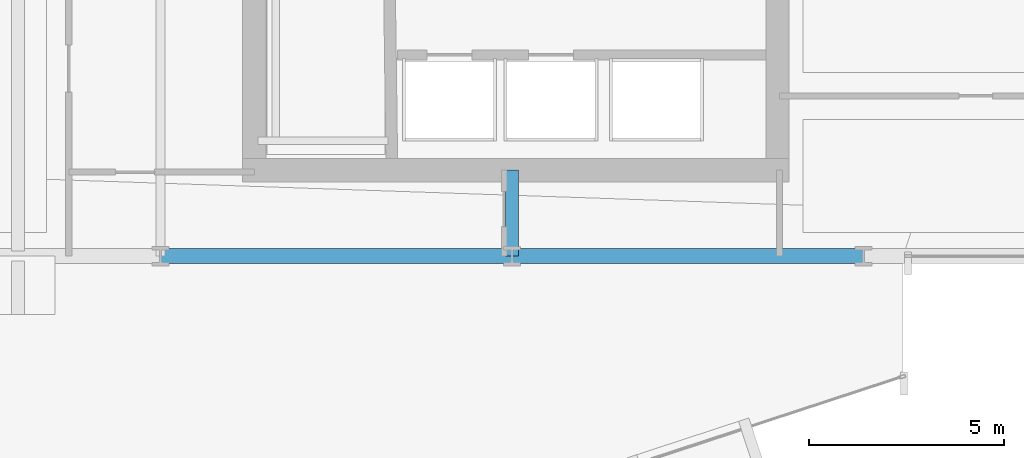
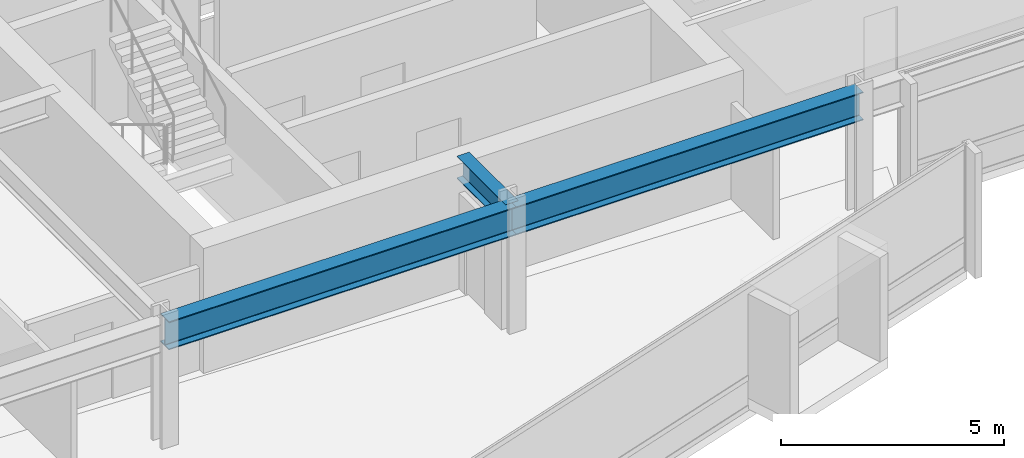
# One storey, part 11 of 34: 3 beams.
"""IFC4 building model written with IfcOpenShell, lengths in metres."""

from ifc_helpers import new_model, si_unit, direction, frame, origin, origin_2d, place, context, subcontext, project, spatial, i_section, extrude, material, material_profile, profile_set, type_object, element, save


model = new_model("IFC4")

# Units and contexts
model_context = context("Model", 3, precision=1e-05, world=origin(), true_north=direction((0.0, 1.0)))
body_context = subcontext(model_context, "Body", "Model", "MODEL_VIEW")
ifc_project = project(units=[si_unit("LENGTHUNIT", "METRE"), si_unit("AREAUNIT", "SQUARE_METRE"), si_unit("VOLUMEUNIT", "CUBIC_METRE"), si_unit("PLANEANGLEUNIT", "RADIAN"), si_unit("MASSUNIT", "GRAM", prefix="KILO")], contexts=[model_context])

# Site, building, storey
site_placement = place(None, origin())
site = spatial("IfcSite", under=ifc_project, at=site_placement, CompositionType="ELEMENT")
building_placement = place(site_placement, origin())
building = spatial("IfcBuilding", under=site, at=building_placement, Name="Solvaryn Broadcast Tower", CompositionType="ELEMENT")
storey_placement = place(building_placement, frame((0.0, 0.0, 54.5)))
storey = spatial("IfcBuildingStorey", under=building, at=storey_placement, Name="L12", CompositionType="ELEMENT", Elevation=54.5)

# Beams
ifc_material_1 = material(Name="Steel ASTM A992 Grade 50", Category="steel")
ifc_material_profile_1 = material_profile(ifc_material_1, i_section(OverallWidth=0.323974609375, OverallDepth=0.611083984375, WebThickness=0.0126953125, FlangeThickness=0.01904296875, FilletRadius=0.014892578125, at=origin_2d()))
ifc_profile_set_1 = profile_set([ifc_material_profile_1], Name="Steel ASTM A992 Grade 50")
beam_type_1 = type_object("IfcBeamType", Name="BM-B1-W24X104", PredefinedType="BEAM", material=ifc_profile_set_1)
beam_placement = place(storey_placement, frame((36.0, 9.0, 3.114501953125), z_axis=(0.0, 1.0, 0.0), x_axis=(-1.0, 0.0, 0.0)))
element("IfcBeam", 1, at=beam_placement, inside=storey, type_object=beam_type_1, Name="L12 Core Tie Beam CTE1", PredefinedType="BEAM", context=body_context, shape_type="SweptSolid", body=[
    extrude(i_section(OverallWidth=0.323974609375, OverallDepth=0.611083984375, WebThickness=0.0126953125, FlangeThickness=0.01904296875, FilletRadius=0.014892578125, at=origin_2d()), origin(), (0.0, 0.0, 1.0), 2.199951171875),
])
ifc_material_2 = material(Name="Steel ASTM A992 Grade 50", Category="steel")
ifc_material_profile_2 = material_profile(ifc_material_2, i_section(OverallWidth=0.381103515625, OverallDepth=0.77294921875, WebThickness=0.0166015625, FlangeThickness=0.027099609375, FilletRadius=0.01806640625, at=origin_2d()))
ifc_profile_set_2 = profile_set([ifc_material_profile_2], Name="Steel ASTM A992 Grade 50")
beam_type_2 = type_object("IfcBeamType", Name="BM-SP1-W30X173", PredefinedType="USERDEFINED", material=ifc_profile_set_2)
for number, where, z_axis, x_axis, name in (
    (2, (27.0, 9.0, 3.033447265625), (1.0, 0.0, 0.0), (0.0, 1.0, 0.0), "L12 Spandrel Beam X (27-36 @ Y=9)"),
    (3, (36.0, 9.0, 3.033447265625), (1.0, 0.0, 0.0), (0.0, 1.0, 0.0), "L12 Spandrel Beam X (36-45 @ Y=9)"),
):
    element("IfcBeam", number, at=place(storey_placement, frame(where, z_axis=z_axis, x_axis=x_axis)), inside=storey, type_object=beam_type_2, Name=name, ObjectType="SPANDREL", PredefinedType="USERDEFINED", context=body_context, shape_type="SweptSolid", body=[
        extrude(i_section(OverallWidth=0.381103515625, OverallDepth=0.77294921875, WebThickness=0.0166015625, FlangeThickness=0.027099609375, FilletRadius=0.01806640625, at=origin_2d()), origin(), (0.0, 0.0, 1.0), 9.0),
    ])

save(model, "model.ifc")
